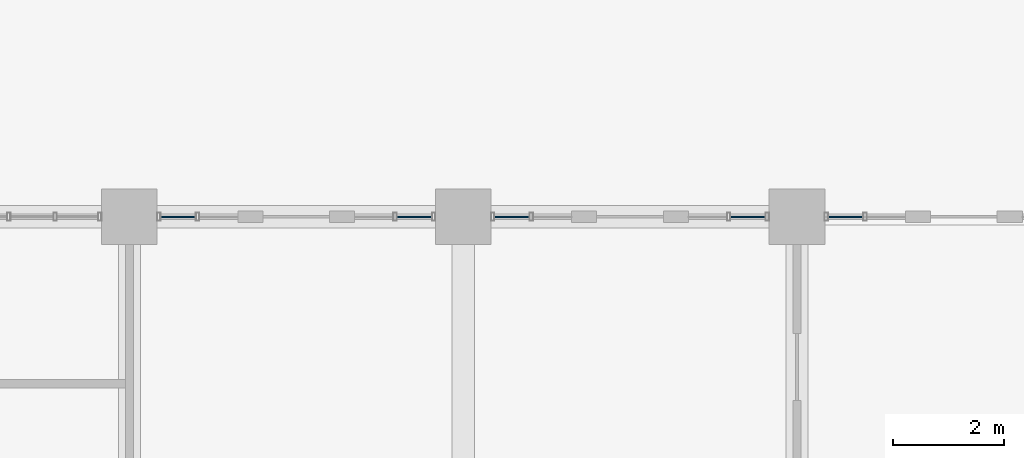
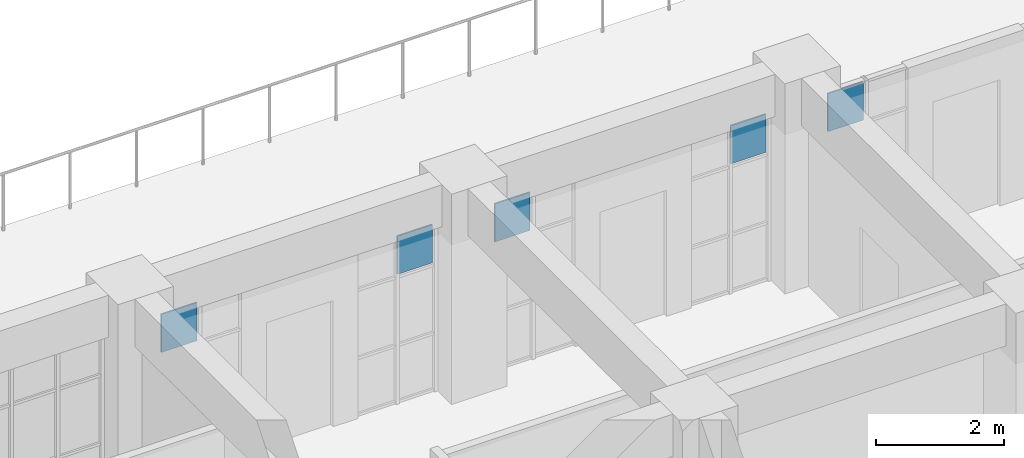
# One storey, part 68 of 101: 5 plates, 5 elements without a shape of their own.
"""IFC4 building model written with IfcOpenShell, lengths in metres."""

from ifc_helpers import new_model, si_unit, direction, frame, origin, origin_2d, place, context, subcontext, project, spatial, rectangle, extrude, material, layer, layer_set, type_object, element, aggregate, save


model = new_model("IFC4")

# Units and contexts
model_context = context("Model", 3, precision=1e-05, world=origin(), true_north=direction((0.0, 1.0)))
body_context = subcontext(model_context, "Body", "Model", "MODEL_VIEW")
ifc_project = project(units=[si_unit("LENGTHUNIT", "METRE"), si_unit("AREAUNIT", "SQUARE_METRE"), si_unit("VOLUMEUNIT", "CUBIC_METRE"), si_unit("PLANEANGLEUNIT", "RADIAN"), si_unit("MASSUNIT", "GRAM", prefix="KILO")], contexts=[model_context])

# Site, building, storey
site_placement = place(None, origin())
site = spatial("IfcSite", under=ifc_project, at=site_placement, CompositionType="ELEMENT")
building_placement = place(site_placement, origin())
building = spatial("IfcBuilding", under=site, at=building_placement, Name="Laocheng Heights Fire and Rescue Headquarters", CompositionType="ELEMENT")
storey_placement = place(building_placement, frame((0.0, 0.0, 8.39990234375)))
storey = spatial("IfcBuildingStorey", under=building, at=storey_placement, Name="L02", CompositionType="ELEMENT", Elevation=8.39990234375)

# Curtain wall, plate
ifc_material_1 = material(Name="Dark anodised aluminium unitised curtain wall, low-e double glazing", Category="aluminium")
curtain_wall_type = type_object("IfcCurtainWallType", Name="CW 1450 x 3200 HQ NORTH GLAZING", PredefinedType="NOTDEFINED", material=ifc_material_1)
curtain_wall_1_placement = place(storey_placement, origin())
curtain_wall_1 = element("IfcCurtainWall", 1, at=curtain_wall_1_placement, inside=storey, type_object=curtain_wall_type, Name="X18-X HQ NORTH L02", PredefinedType="NOTDEFINED")
ifc_material_2 = material(Name="Low-e double glazed unit, laminated inner pane")
ifc_layer = layer(ifc_material_2, 0.028076171875)
ifc_layer_set = layer_set([ifc_layer], Name="Low-e double glazed unit, laminated inner pane")
plate_type = type_object("IfcPlateType", Name="CW VISION PANEL 28 X", PredefinedType="CURTAIN_PANEL", material=ifc_layer_set)
plate_1_placement = place(storey_placement, frame((48.87744140625, 72.0, 2.425048828125), z_axis=(0.0, 0.0, 1.0), x_axis=(1.0, 0.0, 0.0)))
plate_1 = element("IfcPlate", 2, at=plate_1_placement, type_object=plate_type, Name="X18-X panel 1.3", PredefinedType="CURTAIN_PANEL", context=body_context, shape_type="SweptSolid", body=[
    extrude(rectangle(XDim=0.635009765625, YDim=0.028076171875, at=origin_2d()), origin(), (0.0, 0.0, 1.0), 0.72509765625),
])
aggregate(curtain_wall_1, [plate_1])

curtain_wall_2_placement = place(storey_placement, origin())
curtain_wall_2 = element("IfcCurtainWall", 3, at=curtain_wall_2_placement, inside=storey, type_object=curtain_wall_type, Name="X18-X HQ NORTH L02", PredefinedType="NOTDEFINED")
plate_2_placement = place(storey_placement, frame((53.12255859375, 72.0, 2.425048828125), z_axis=(0.0, 0.0, 1.0), x_axis=(1.0, 0.0, 0.0)))
plate_2 = element("IfcPlate", 4, at=plate_2_placement, type_object=plate_type, Name="X18-X panel 2.3", PredefinedType="CURTAIN_PANEL", context=body_context, shape_type="SweptSolid", body=[
    extrude(rectangle(XDim=0.635009765625, YDim=0.028076171875, at=origin_2d()), origin(), (0.0, 0.0, 1.0), 0.72509765625),
])
aggregate(curtain_wall_2, [plate_2])

curtain_wall_3_placement = place(storey_placement, origin())
curtain_wall_3 = element("IfcCurtainWall", 5, at=curtain_wall_3_placement, inside=storey, type_object=curtain_wall_type, Name="X18-X HQ NORTH L02", PredefinedType="NOTDEFINED")
plate_3_placement = place(storey_placement, frame((54.87744140625, 72.0, 2.425048828125), z_axis=(0.0, 0.0, 1.0), x_axis=(1.0, 0.0, 0.0)))
plate_3 = element("IfcPlate", 6, at=plate_3_placement, type_object=plate_type, Name="X18-X panel 1.3", PredefinedType="CURTAIN_PANEL", context=body_context, shape_type="SweptSolid", body=[
    extrude(rectangle(XDim=0.635009765625, YDim=0.028076171875, at=origin_2d()), origin(), (0.0, 0.0, 1.0), 0.72509765625),
])
aggregate(curtain_wall_3, [plate_3])

curtain_wall_4_placement = place(storey_placement, origin())
curtain_wall_4 = element("IfcCurtainWall", 7, at=curtain_wall_4_placement, inside=storey, type_object=curtain_wall_type, Name="X18-X HQ NORTH L02", PredefinedType="NOTDEFINED")
plate_4_placement = place(storey_placement, frame((59.12255859375, 72.0, 2.425048828125), z_axis=(0.0, 0.0, 1.0), x_axis=(1.0, 0.0, 0.0)))
plate_4 = element("IfcPlate", 8, at=plate_4_placement, type_object=plate_type, Name="X18-X panel 2.3", PredefinedType="CURTAIN_PANEL", context=body_context, shape_type="SweptSolid", body=[
    extrude(rectangle(XDim=0.635009765625, YDim=0.028076171875, at=origin_2d()), origin(), (0.0, 0.0, 1.0), 0.72509765625),
])
aggregate(curtain_wall_4, [plate_4])

curtain_wall_5_placement = place(storey_placement, origin())
curtain_wall_5 = element("IfcCurtainWall", 9, at=curtain_wall_5_placement, inside=storey, type_object=curtain_wall_type, Name="X18-X HQ NORTH L02", PredefinedType="NOTDEFINED")
plate_5_placement = place(storey_placement, frame((60.87744140625, 72.0, 2.425048828125), z_axis=(0.0, 0.0, 1.0), x_axis=(1.0, 0.0, 0.0)))
plate_5 = element("IfcPlate", 10, at=plate_5_placement, type_object=plate_type, Name="X18-X panel 1.3", PredefinedType="CURTAIN_PANEL", context=body_context, shape_type="SweptSolid", body=[
    extrude(rectangle(XDim=0.635009765625, YDim=0.028076171875, at=origin_2d()), origin(), (0.0, 0.0, 1.0), 0.72509765625),
])
aggregate(curtain_wall_5, [plate_5])

save(model, "model.ifc")
